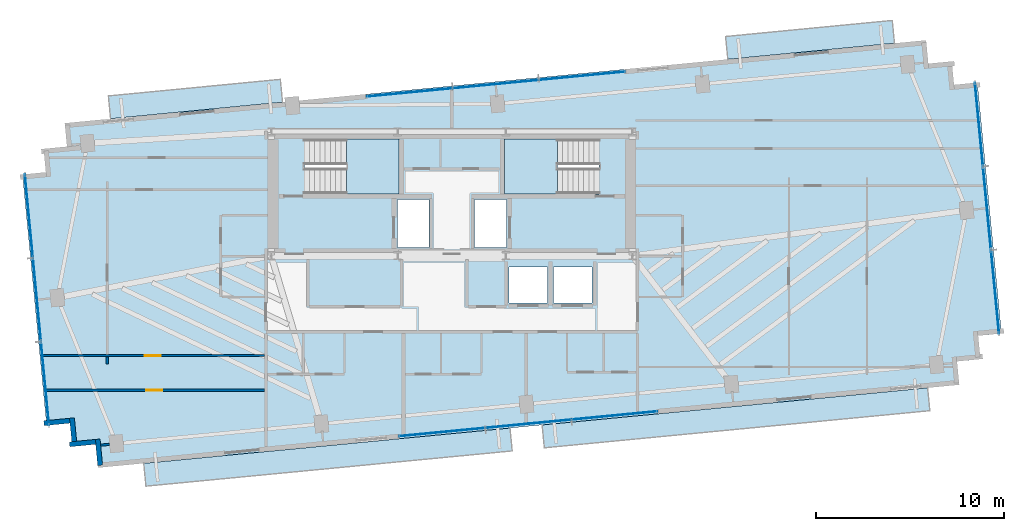
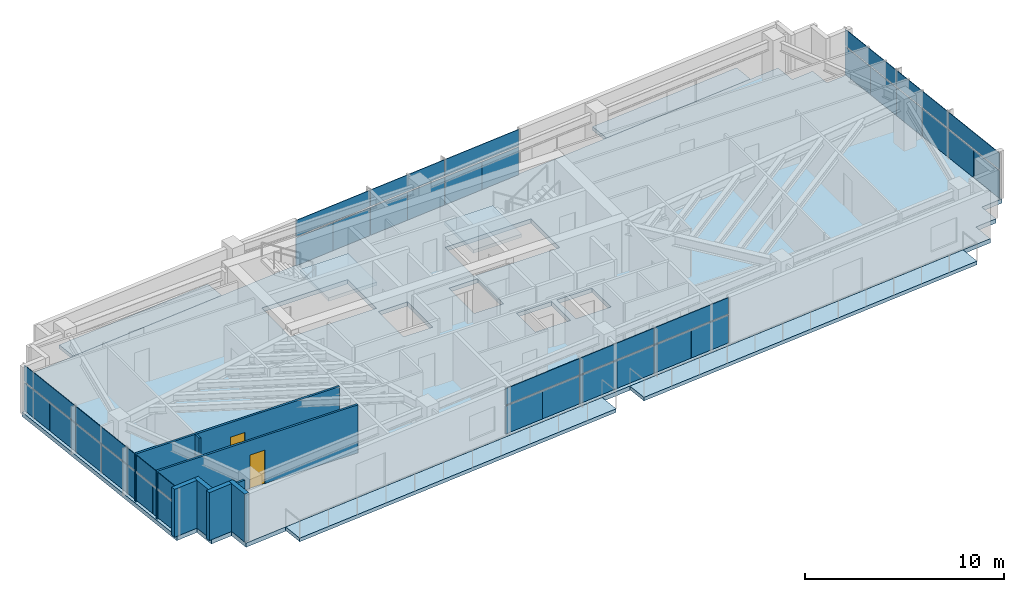
# One storey, part 12 of 18: 36 plates, 8 walls, 7 slabs, 2 doors, 2 openings, 6 elements without a shape of their own.
"""IFC4 building model written with IfcOpenShell, lengths in metres."""

from ifc_helpers import new_model, si_unit, direction, frame, frame_2d, origin, origin_2d, place, context, subcontext, project, spatial, polyline, rectangle, outline, extrude, source, transform, mapped, material, layer, layer_set, type_object, type_shapes, element, fill, aggregate, save


model = new_model("IFC4")

# Units and contexts
model_context = context("Model", 3, precision=1e-05, world=origin(), true_north=direction((0.0, 1.0)))
body_context = subcontext(model_context, "Body", "Model", "MODEL_VIEW")
ifc_project = project(units=[si_unit("LENGTHUNIT", "METRE"), si_unit("AREAUNIT", "SQUARE_METRE"), si_unit("VOLUMEUNIT", "CUBIC_METRE"), si_unit("PLANEANGLEUNIT", "RADIAN"), si_unit("MASSUNIT", "GRAM", prefix="KILO")], contexts=[model_context])

# Site, building, storey
site_placement = place(None, origin())
site = spatial("IfcSite", under=ifc_project, at=site_placement, CompositionType="ELEMENT")
building_placement = place(site_placement, origin())
building = spatial("IfcBuilding", under=site, at=building_placement, Name="Astriad Promenade Condominiums", CompositionType="ELEMENT")
storey_placement = place(building_placement, frame((0.0, 0.0, 195.39990234375)))
storey = spatial("IfcBuildingStorey", under=building, at=storey_placement, Name="L56", CompositionType="ELEMENT", Elevation=195.39990234375)

# Slab
ifc_material_1 = material(Name="Concrete C50/60", Category="concrete")
ifc_layer_1 = layer(ifc_material_1, 0.260009765625)
ifc_layer_set_1 = layer_set([ifc_layer_1], Name="Concrete C50/60")
slab_type_1 = type_object("IfcSlabType", Name="CONCRETE TOWER FLOOR SLAB 260", PredefinedType="FLOOR", material=ifc_layer_set_1)
slab_1_placement = place(storey_placement, frame((0.0, 0.0, -0.260009765625)))
element("IfcSlab", 1, at=slab_1_placement, inside=storey, type_object=slab_type_1, Name="Structural Floor Slab (L56)", PredefinedType="FLOOR", context=body_context, shape_type="SweptSolid", body=[
    extrude(outline(polyline([(17.187744140625, 6.137939453125), (62.975830078125, 10.546875), (62.856201171875, 11.791015625), (64.100341796875, 11.910888671875), (63.98046875, 13.155029296875), (65.224853515625, 13.27490234375), (63.9404296875, 26.61328125), (62.6962890625, 26.493408203125), (62.576416015625, 27.73779296875), (61.33203125, 27.617919921875), (61.21240234375, 28.862060546875), (15.424072265625, 24.453125), (15.5439453125, 23.208984375), (14.2998046875, 23.089111328125), (14.41943359375, 21.844970703125), (13.17529296875, 21.72509765625), (14.459716796875, 8.38671875), (15.703857421875, 8.506591796875), (15.823486328125, 7.26220703125), (17.06787109375, 7.382080078125), (17.187744140625, 6.137939453125)]), holes=[polyline([(28.175048828125, 20.699951171875), (33.175048828125, 20.699951171875), (33.175048828125, 23.60009765625), (28.175048828125, 23.60009765625), (28.175048828125, 20.699951171875)]), polyline([(38.824951171875, 20.699951171875), (43.824951171875, 20.699951171875), (43.824951171875, 23.60009765625), (38.824951171875, 23.60009765625), (38.824951171875, 20.699951171875)]), polyline([(33.10009765625, 17.85009765625), (34.800048828125, 17.85009765625), (34.800048828125, 20.39990234375), (33.10009765625, 20.39990234375), (33.10009765625, 17.85009765625)]), polyline([(37.199951171875, 17.85009765625), (38.89990234375, 17.85009765625), (38.89990234375, 20.39990234375), (37.199951171875, 20.39990234375), (37.199951171875, 17.85009765625)]), polyline([(39.050048828125, 14.89990234375), (41.10009765625, 14.89990234375), (41.10009765625, 16.800048828125), (39.050048828125, 16.800048828125), (39.050048828125, 14.89990234375)]), polyline([(41.39990234375, 14.89990234375), (43.449951171875, 14.89990234375), (43.449951171875, 16.800048828125), (41.39990234375, 16.800048828125), (41.39990234375, 14.89990234375)])]), origin(), (0.0, 0.0, 1.0), 0.260009765625),
])

# Stair, slab
stair_type = type_object("IfcStairType", Name="STR-CORE-1350", PredefinedType="HALF_TURN_STAIR", material=ifc_material_1)
stair_1_placement = place(storey_placement, origin())
stair_1 = element("IfcStair", 2, at=stair_1_placement, inside=storey, type_object=stair_type, Name="L56 Enclosed Core Exit Stair ST-1", PredefinedType="HALF_TURN_STAIR")
ifc_layer_2 = layer(ifc_material_1, 0.219970703125)
ifc_layer_set_2 = layer_set([ifc_layer_2], Name="Concrete C50/60")
slab_type_2 = type_object("IfcSlabType", Name="SLB-LANDING-220", PredefinedType="LANDING", material=ifc_layer_set_2)
slab_2_placement = place(storey_placement, frame((0.0, 0.0, 1.400146484375)))
slab_2 = element("IfcSlab", 3, at=slab_2_placement, type_object=slab_type_2, Name="ST-1 landing 1", PredefinedType="LANDING", context=body_context, shape_type="SweptSolid", body=[
    extrude(outline(polyline([(30.389892578125, 20.699951171875), (33.199951171875, 20.699951171875), (33.199951171875, 23.60009765625), (30.389892578125, 23.60009765625), (30.389892578125, 20.699951171875)])), origin(), (0.0, 0.0, 1.0), 0.199951171875),
])
aggregate(stair_1, [slab_2])

stair_2_placement = place(storey_placement, origin())
stair_2 = element("IfcStair", 4, at=stair_2_placement, inside=storey, type_object=stair_type, Name="L56 Enclosed Core Exit Stair ST-2", PredefinedType="HALF_TURN_STAIR")
slab_3_placement = place(storey_placement, frame((0.0, 0.0, 1.400146484375)))
slab_3 = element("IfcSlab", 5, at=slab_3_placement, type_object=slab_type_2, Name="ST-2 landing 1", PredefinedType="LANDING", context=body_context, shape_type="SweptSolid", body=[
    extrude(outline(polyline([(41.610107421875, 23.60009765625), (38.800048828125, 23.60009765625), (38.800048828125, 20.699951171875), (41.610107421875, 20.699951171875), (41.610107421875, 23.60009765625)])), origin(), (0.0, 0.0, 1.0), 0.199951171875),
])
aggregate(stair_2, [slab_3])

# Slabs
ifc_material_2 = material(Name="Precast concrete C50/60", Category="concrete")
ifc_layer_3 = layer(ifc_material_2, 0.219970703125)
ifc_layer_set_3 = layer_set([ifc_layer_3], Name="Precast concrete C50/60")
slab_type_3 = type_object("IfcSlabType", Name="WHITE PRECAST CONCRETE WAVE BALCONY SLAB 220", PredefinedType="FLOOR", material=ifc_layer_set_3)
slab_4_placement = place(storey_placement, frame((0.0, 0.0, -0.219970703125)))
element("IfcSlab", 6, at=slab_4_placement, inside=storey, type_object=slab_type_3, Name="White Precast Wave Balcony Slab BAL-L56-SW", PredefinedType="FLOOR", context=body_context, shape_type="SweptSolid", body=[
    extrude(outline(polyline([(39.209228515625, 7.03271484375), (19.740234375, 5.158203125), (19.62353515625, 6.370361328125), (39.092529296875, 8.2451171875), (39.209228515625, 7.03271484375)])), origin(), (0.0, 0.0, 1.0), 0.219970703125),
])
slab_5_placement = place(storey_placement, frame((0.0, 0.0, -0.219970703125)))
element("IfcSlab", 7, at=slab_5_placement, inside=storey, type_object=slab_type_3, Name="White Precast Wave Balcony Slab BAL-L56-SE", PredefinedType="FLOOR", context=body_context, shape_type="SweptSolid", body=[
    extrude(outline(polyline([(61.41064453125, 9.17041015625), (40.91748046875, 7.197265625), (40.80078125, 8.40966796875), (61.2939453125, 10.3828125), (61.41064453125, 9.17041015625)])), origin(), (0.0, 0.0, 1.0), 0.219970703125),
])
slab_6_placement = place(storey_placement, frame((0.0, 0.0, -0.219970703125)))
element("IfcSlab", 8, at=slab_6_placement, inside=storey, type_object=slab_type_3, Name="White Precast Wave Balcony Slab BAL-L56-NW", PredefinedType="FLOOR", context=body_context, shape_type="SweptSolid", body=[
    extrude(outline(polyline([(17.742919921875, 25.902099609375), (26.883544921875, 26.7822265625), (27.00048828125, 25.56982421875), (17.859619140625, 24.689697265625), (17.742919921875, 25.902099609375)])), origin(), (0.0, 0.0, 1.0), 0.219970703125),
])
slab_7_placement = place(storey_placement, frame((0.0, 0.0, -0.219970703125)))
element("IfcSlab", 9, at=slab_7_placement, inside=storey, type_object=slab_type_3, Name="White Precast Wave Balcony Slab BAL-L56-NE", PredefinedType="FLOOR", context=body_context, shape_type="SweptSolid", body=[
    extrude(outline(polyline([(50.55419921875, 29.0615234375), (59.4130859375, 29.91455078125), (59.52978515625, 28.7021484375), (50.6708984375, 27.84912109375), (50.55419921875, 29.0615234375)])), origin(), (0.0, 0.0, 1.0), 0.219970703125),
])

# Curtain wall, plates
ifc_material_3 = material(Name="Anodised aluminium Black Dark Glass Unitised", Category="aluminium")
curtain_wall_type = type_object("IfcCurtainWallType", Name="CW-B34-DARK", PredefinedType="USERDEFINED", material=ifc_material_3)
curtain_wall_1_placement = place(storey_placement, origin())
curtain_wall_1 = element("IfcCurtainWall", 10, at=curtain_wall_1_placement, inside=storey, type_object=curtain_wall_type, Name="CW-L56-W", ObjectType="UNITISED_CURTAIN_WALL", PredefinedType="USERDEFINED")
ifc_material_4 = material(Name="Dark Tinted Low-E Laminated Glass", Category="glass")
ifc_layer_4 = layer(ifc_material_4, 0.035888671875)
ifc_layer_set_4 = layer_set([ifc_layer_4], Name="Dark Tinted Low-E Laminated Glass")
plate_type = type_object("IfcPlateType", Name="PNL-DARK-GLASS-36", PredefinedType="CURTAIN_PANEL", material=ifc_layer_set_4)
shared_shape_1 = source(origin(), body_context, "Body", "SweptSolid", [
    extrude(rectangle(XDim=2.22119140625, YDim=0.035888671875, at=origin_2d()), origin(), (0.0, 0.0, 1.0), 1.702880859375),
])
plate_1_placement = place(storey_placement, frame((14.48193359375, 9.5107421875, 0.080078125), z_axis=(0.0, 0.0, 1.0), x_axis=(-0.09584575252, 0.995396198367, 0.0)))
plate_1 = element("IfcPlate", 11, at=plate_1_placement, type_object=plate_type, Name="CW-L56-W-PNL-00-VL", PredefinedType="CURTAIN_PANEL", context=body_context, shape_type="MappedRepresentation", body=[
    mapped(shared_shape_1, transform((0.0, 0.0, 0.0), scale=1.0)),
])
plate_2_placement = place(storey_placement, frame((14.267822265625, 11.73388671875, 0.080078125), z_axis=(0.0, 0.0, 1.0), x_axis=(-0.09584575252, 0.995396198367, 0.0)))
plate_2 = element("IfcPlate", 12, at=plate_2_placement, type_object=plate_type, Name="CW-L56-W-PNL-00-VR", PredefinedType="CURTAIN_PANEL", context=body_context, shape_type="MappedRepresentation", body=[
    mapped(shared_shape_1, transform((0.0, 0.0, 0.0), scale=1.0)),
])
plate_3_placement = place(storey_placement, frame((14.053955078125, 13.956787109375, 0.080078125), z_axis=(0.0, 0.0, 1.0), x_axis=(-0.09584575252, 0.995396198367, 0.0)))
plate_3 = element("IfcPlate", 13, at=plate_3_placement, type_object=plate_type, Name="CW-L56-W-PNL-01-VL", PredefinedType="CURTAIN_PANEL", context=body_context, shape_type="MappedRepresentation", body=[
    mapped(shared_shape_1, transform((0.0, 0.0, 0.0), scale=1.0)),
])
plate_4_placement = place(storey_placement, frame((13.839599609375, 16.179931640625, 0.080078125), z_axis=(0.0, 0.0, 1.0), x_axis=(-0.09584575252, 0.995396198367, 0.0)))
plate_4 = element("IfcPlate", 14, at=plate_4_placement, type_object=plate_type, Name="CW-L56-W-PNL-01-VR", PredefinedType="CURTAIN_PANEL", context=body_context, shape_type="MappedRepresentation", body=[
    mapped(shared_shape_1, transform((0.0, 0.0, 0.0), scale=1.0)),
])
plate_5_placement = place(storey_placement, frame((13.625732421875, 18.403076171875, 0.080078125), z_axis=(0.0, 0.0, 1.0), x_axis=(-0.09584575252, 0.995396198367, 0.0)))
plate_5 = element("IfcPlate", 15, at=plate_5_placement, type_object=plate_type, Name="CW-L56-W-PNL-02-VL", PredefinedType="CURTAIN_PANEL", context=body_context, shape_type="MappedRepresentation", body=[
    mapped(shared_shape_1, transform((0.0, 0.0, 0.0), scale=1.0)),
])
plate_6_placement = place(storey_placement, frame((13.41162109375, 20.626220703125, 0.080078125), z_axis=(0.0, 0.0, 1.0), x_axis=(-0.09584575252, 0.995396198367, 0.0)))
plate_6 = element("IfcPlate", 16, at=plate_6_placement, type_object=plate_type, Name="CW-L56-W-PNL-02-VR", PredefinedType="CURTAIN_PANEL", context=body_context, shape_type="MappedRepresentation", body=[
    mapped(shared_shape_1, transform((0.0, 0.0, 0.0), scale=1.0)),
])

curtain_wall_2_placement = place(storey_placement, origin())
curtain_wall_2 = element("IfcCurtainWall", 17, at=curtain_wall_2_placement, inside=storey, type_object=curtain_wall_type, Name="CW-L56-E", ObjectType="UNITISED_CURTAIN_WALL", PredefinedType="USERDEFINED")
plate_7_placement = place(storey_placement, frame((63.91796875, 25.4892578125, 0.080078125), z_axis=(0.0, 0.0, 1.0), x_axis=(0.09584575252, -0.995396198367, 0.0)))
plate_7 = element("IfcPlate", 18, at=plate_7_placement, type_object=plate_type, Name="CW-L56-E-PNL-00-VL", PredefinedType="CURTAIN_PANEL", context=body_context, shape_type="MappedRepresentation", body=[
    mapped(shared_shape_1, transform((0.0, 0.0, 0.0), scale=1.0)),
])
plate_8_placement = place(storey_placement, frame((64.132080078125, 23.26611328125, 0.080078125), z_axis=(0.0, 0.0, 1.0), x_axis=(0.09584575252, -0.995396198367, 0.0)))
plate_8 = element("IfcPlate", 19, at=plate_8_placement, type_object=plate_type, Name="CW-L56-E-PNL-00-VR", PredefinedType="CURTAIN_PANEL", context=body_context, shape_type="MappedRepresentation", body=[
    mapped(shared_shape_1, transform((0.0, 0.0, 0.0), scale=1.0)),
])
plate_9_placement = place(storey_placement, frame((64.34619140625, 21.043212890625, 0.080078125), z_axis=(0.0, 0.0, 1.0), x_axis=(0.09584575252, -0.995396198367, 0.0)))
plate_9 = element("IfcPlate", 20, at=plate_9_placement, type_object=plate_type, Name="CW-L56-E-PNL-01-VL", PredefinedType="CURTAIN_PANEL", context=body_context, shape_type="MappedRepresentation", body=[
    mapped(shared_shape_1, transform((0.0, 0.0, 0.0), scale=1.0)),
])
plate_10_placement = place(storey_placement, frame((64.560302734375, 18.820068359375, 0.080078125), z_axis=(0.0, 0.0, 1.0), x_axis=(0.09584575252, -0.995396198367, 0.0)))
plate_10 = element("IfcPlate", 21, at=plate_10_placement, type_object=plate_type, Name="CW-L56-E-PNL-01-VR", PredefinedType="CURTAIN_PANEL", context=body_context, shape_type="MappedRepresentation", body=[
    mapped(shared_shape_1, transform((0.0, 0.0, 0.0), scale=1.0)),
])
plate_11_placement = place(storey_placement, frame((64.7744140625, 16.596923828125, 0.080078125), z_axis=(0.0, 0.0, 1.0), x_axis=(0.09584575252, -0.995396198367, 0.0)))
plate_11 = element("IfcPlate", 22, at=plate_11_placement, type_object=plate_type, Name="CW-L56-E-PNL-02-VL", PredefinedType="CURTAIN_PANEL", context=body_context, shape_type="MappedRepresentation", body=[
    mapped(shared_shape_1, transform((0.0, 0.0, 0.0), scale=1.0)),
])
plate_12_placement = place(storey_placement, frame((64.98828125, 14.373779296875, 0.080078125), z_axis=(0.0, 0.0, 1.0), x_axis=(0.09584575252, -0.995396198367, 0.0)))
plate_12 = element("IfcPlate", 23, at=plate_12_placement, type_object=plate_type, Name="CW-L56-E-PNL-02-VR", PredefinedType="CURTAIN_PANEL", context=body_context, shape_type="MappedRepresentation", body=[
    mapped(shared_shape_1, transform((0.0, 0.0, 0.0), scale=1.0)),
])

# Plate
shared_shape_2 = source(origin(), body_context, "Body", "SweptSolid", [
    extrude(rectangle(XDim=4.45458984375, YDim=0.035888671875, at=origin_2d()), origin(), (0.0, 0.0, 1.0), 0.997314453125),
])
plate_13_placement = place(storey_placement, frame((14.375, 10.622314453125, 1.86279296875), z_axis=(0.0, 0.0, 1.0), x_axis=(-0.09584575252, 0.995396198367, 0.0)))
plate_13 = element("IfcPlate", 24, at=plate_13_placement, type_object=plate_type, Name="CW-L56-W-PNL-00-S", PredefinedType="CURTAIN_PANEL", context=body_context, shape_type="MappedRepresentation", body=[
    mapped(shared_shape_2, transform((0.0, 0.0, 0.0), scale=1.0)),
])

plate_14_placement = place(storey_placement, frame((13.94677734375, 15.068359375, 1.86279296875), z_axis=(0.0, 0.0, 1.0), x_axis=(-0.09584575252, 0.995396198367, 0.0)))
plate_14 = element("IfcPlate", 25, at=plate_14_placement, type_object=plate_type, Name="CW-L56-W-PNL-01-S", PredefinedType="CURTAIN_PANEL", context=body_context, shape_type="MappedRepresentation", body=[
    mapped(shared_shape_2, transform((0.0, 0.0, 0.0), scale=1.0)),
])

plate_15_placement = place(storey_placement, frame((13.518798828125, 19.514404296875, 1.86279296875), z_axis=(0.0, 0.0, 1.0), x_axis=(-0.09584575252, 0.995396198367, 0.0)))
plate_15 = element("IfcPlate", 26, at=plate_15_placement, type_object=plate_type, Name="CW-L56-W-PNL-02-S", PredefinedType="CURTAIN_PANEL", context=body_context, shape_type="MappedRepresentation", body=[
    mapped(shared_shape_2, transform((0.0, 0.0, 0.0), scale=1.0)),
])

aggregate(curtain_wall_1, [plate_1, plate_2, plate_13, plate_3, plate_4, plate_14, plate_5, plate_6, plate_15])

plate_16_placement = place(storey_placement, frame((64.02490234375, 24.377685546875, 1.86279296875), z_axis=(0.0, 0.0, 1.0), x_axis=(0.09584575252, -0.995396198367, 0.0)))
plate_16 = element("IfcPlate", 27, at=plate_16_placement, type_object=plate_type, Name="CW-L56-E-PNL-00-S", PredefinedType="CURTAIN_PANEL", context=body_context, shape_type="MappedRepresentation", body=[
    mapped(shared_shape_2, transform((0.0, 0.0, 0.0), scale=1.0)),
])

plate_17_placement = place(storey_placement, frame((64.453125, 19.931640625, 1.86279296875), z_axis=(0.0, 0.0, 1.0), x_axis=(0.09584575252, -0.995396198367, 0.0)))
plate_17 = element("IfcPlate", 28, at=plate_17_placement, type_object=plate_type, Name="CW-L56-E-PNL-01-S", PredefinedType="CURTAIN_PANEL", context=body_context, shape_type="MappedRepresentation", body=[
    mapped(shared_shape_2, transform((0.0, 0.0, 0.0), scale=1.0)),
])

plate_18_placement = place(storey_placement, frame((64.88134765625, 15.485595703125, 1.86279296875), z_axis=(0.0, 0.0, 1.0), x_axis=(0.09584575252, -0.995396198367, 0.0)))
plate_18 = element("IfcPlate", 29, at=plate_18_placement, type_object=plate_type, Name="CW-L56-E-PNL-02-S", PredefinedType="CURTAIN_PANEL", context=body_context, shape_type="MappedRepresentation", body=[
    mapped(shared_shape_2, transform((0.0, 0.0, 0.0), scale=1.0)),
])

aggregate(curtain_wall_2, [plate_7, plate_8, plate_16, plate_9, plate_10, plate_17, plate_11, plate_12, plate_18])

# Curtain wall, plates
curtain_wall_3_placement = place(storey_placement, origin())
curtain_wall_3 = element("IfcCurtainWall", 30, at=curtain_wall_3_placement, inside=storey, type_object=curtain_wall_type, Name="CW-L56-N", ObjectType="UNITISED_CURTAIN_WALL", PredefinedType="USERDEFINED")
shared_shape_3 = source(origin(), body_context, "Body", "SweptSolid", [
    extrude(rectangle(XDim=2.2880859375, YDim=0.035888671875, at=origin_2d()), origin(), (0.0, 0.0, 1.0), 1.702880859375),
])
plate_19_placement = place(storey_placement, frame((32.607177734375, 25.97705078125, 0.080078125), z_axis=(0.0, 0.0, 1.0), x_axis=(0.995396198367, 0.09584575252, 0.0)))
plate_19 = element("IfcPlate", 31, at=plate_19_placement, type_object=plate_type, Name="CW-L56-N-PNL-00-VL", PredefinedType="CURTAIN_PANEL", context=body_context, shape_type="MappedRepresentation", body=[
    mapped(shared_shape_3, transform((0.0, 0.0, 0.0), scale=1.0)),
])
plate_20_placement = place(storey_placement, frame((34.896484375, 26.197509765625, 0.080078125), z_axis=(0.0, 0.0, 1.0), x_axis=(0.995396198367, 0.09584575252, 0.0)))
plate_20 = element("IfcPlate", 32, at=plate_20_placement, type_object=plate_type, Name="CW-L56-N-PNL-00-VR", PredefinedType="CURTAIN_PANEL", context=body_context, shape_type="MappedRepresentation", body=[
    mapped(shared_shape_3, transform((0.0, 0.0, 0.0), scale=1.0)),
])
plate_21_placement = place(storey_placement, frame((37.18603515625, 26.41796875, 0.080078125), z_axis=(0.0, 0.0, 1.0), x_axis=(0.995396198367, 0.09584575252, 0.0)))
plate_21 = element("IfcPlate", 33, at=plate_21_placement, type_object=plate_type, Name="CW-L56-N-PNL-01-VL", PredefinedType="CURTAIN_PANEL", context=body_context, shape_type="MappedRepresentation", body=[
    mapped(shared_shape_3, transform((0.0, 0.0, 0.0), scale=1.0)),
])
plate_22_placement = place(storey_placement, frame((39.475341796875, 26.638427734375, 0.080078125), z_axis=(0.0, 0.0, 1.0), x_axis=(0.995396198367, 0.09584575252, 0.0)))
plate_22 = element("IfcPlate", 34, at=plate_22_placement, type_object=plate_type, Name="CW-L56-N-PNL-01-VR", PredefinedType="CURTAIN_PANEL", context=body_context, shape_type="MappedRepresentation", body=[
    mapped(shared_shape_3, transform((0.0, 0.0, 0.0), scale=1.0)),
])
plate_23_placement = place(storey_placement, frame((41.764892578125, 26.85888671875, 0.080078125), z_axis=(0.0, 0.0, 1.0), x_axis=(0.995396198367, 0.09584575252, 0.0)))
plate_23 = element("IfcPlate", 35, at=plate_23_placement, type_object=plate_type, Name="CW-L56-N-PNL-02-VL", PredefinedType="CURTAIN_PANEL", context=body_context, shape_type="MappedRepresentation", body=[
    mapped(shared_shape_3, transform((0.0, 0.0, 0.0), scale=1.0)),
])
plate_24_placement = place(storey_placement, frame((44.05419921875, 27.079345703125, 0.080078125), z_axis=(0.0, 0.0, 1.0), x_axis=(0.995396198367, 0.09584575252, 0.0)))
plate_24 = element("IfcPlate", 36, at=plate_24_placement, type_object=plate_type, Name="CW-L56-N-PNL-02-VR", PredefinedType="CURTAIN_PANEL", context=body_context, shape_type="MappedRepresentation", body=[
    mapped(shared_shape_3, transform((0.0, 0.0, 0.0), scale=1.0)),
])

curtain_wall_4_placement = place(storey_placement, origin())
curtain_wall_4 = element("IfcCurtainWall", 37, at=curtain_wall_4_placement, inside=storey, type_object=curtain_wall_type, Name="CW-L56-S", ObjectType="UNITISED_CURTAIN_WALL", PredefinedType="USERDEFINED")
plate_25_placement = place(storey_placement, frame((45.792724609375, 9.02294921875, 0.080078125), z_axis=(0.0, 0.0, 1.0), x_axis=(-0.995396198367, -0.09584575252, 0.0)))
plate_25 = element("IfcPlate", 38, at=plate_25_placement, type_object=plate_type, Name="CW-L56-S-PNL-00-VL", PredefinedType="CURTAIN_PANEL", context=body_context, shape_type="MappedRepresentation", body=[
    mapped(shared_shape_3, transform((0.0, 0.0, 0.0), scale=1.0)),
])
plate_26_placement = place(storey_placement, frame((43.50341796875, 8.802490234375, 0.080078125), z_axis=(0.0, 0.0, 1.0), x_axis=(-0.995396198367, -0.09584575252, 0.0)))
plate_26 = element("IfcPlate", 39, at=plate_26_placement, type_object=plate_type, Name="CW-L56-S-PNL-00-VR", PredefinedType="CURTAIN_PANEL", context=body_context, shape_type="MappedRepresentation", body=[
    mapped(shared_shape_3, transform((0.0, 0.0, 0.0), scale=1.0)),
])
plate_27_placement = place(storey_placement, frame((41.214111328125, 8.58203125, 0.080078125), z_axis=(0.0, 0.0, 1.0), x_axis=(-0.995396198367, -0.09584575252, 0.0)))
plate_27 = element("IfcPlate", 40, at=plate_27_placement, type_object=plate_type, Name="CW-L56-S-PNL-01-VL", PredefinedType="CURTAIN_PANEL", context=body_context, shape_type="MappedRepresentation", body=[
    mapped(shared_shape_3, transform((0.0, 0.0, 0.0), scale=1.0)),
])
plate_28_placement = place(storey_placement, frame((38.924560546875, 8.361572265625, 0.080078125), z_axis=(0.0, 0.0, 1.0), x_axis=(-0.995396198367, -0.09584575252, 0.0)))
plate_28 = element("IfcPlate", 41, at=plate_28_placement, type_object=plate_type, Name="CW-L56-S-PNL-01-VR", PredefinedType="CURTAIN_PANEL", context=body_context, shape_type="MappedRepresentation", body=[
    mapped(shared_shape_3, transform((0.0, 0.0, 0.0), scale=1.0)),
])
plate_29_placement = place(storey_placement, frame((36.63525390625, 8.14111328125, 0.080078125), z_axis=(0.0, 0.0, 1.0), x_axis=(-0.995396198367, -0.09584575252, 0.0)))
plate_29 = element("IfcPlate", 42, at=plate_29_placement, type_object=plate_type, Name="CW-L56-S-PNL-02-VL", PredefinedType="CURTAIN_PANEL", context=body_context, shape_type="MappedRepresentation", body=[
    mapped(shared_shape_3, transform((0.0, 0.0, 0.0), scale=1.0)),
])
plate_30_placement = place(storey_placement, frame((34.345703125, 7.920654296875, 0.080078125), z_axis=(0.0, 0.0, 1.0), x_axis=(-0.995396198367, -0.09584575252, 0.0)))
plate_30 = element("IfcPlate", 43, at=plate_30_placement, type_object=plate_type, Name="CW-L56-S-PNL-02-VR", PredefinedType="CURTAIN_PANEL", context=body_context, shape_type="MappedRepresentation", body=[
    mapped(shared_shape_3, transform((0.0, 0.0, 0.0), scale=1.0)),
])

# Plate
shared_shape_4 = source(origin(), body_context, "Body", "SweptSolid", [
    extrude(rectangle(XDim=4.587890625, YDim=0.035888671875, at=origin_2d()), origin(), (0.0, 0.0, 1.0), 0.997314453125),
])
type_shapes(plate_type, [shared_shape_1, shared_shape_2, shared_shape_3, shared_shape_4])
plate_31_placement = place(storey_placement, frame((33.751953125, 26.08740234375, 1.86279296875), z_axis=(0.0, 0.0, 1.0), x_axis=(0.995396198367, 0.09584575252, 0.0)))
plate_31 = element("IfcPlate", 44, at=plate_31_placement, type_object=plate_type, Name="CW-L56-N-PNL-00-S", PredefinedType="CURTAIN_PANEL", context=body_context, shape_type="MappedRepresentation", body=[
    mapped(shared_shape_4, transform((0.0, 0.0, 0.0), scale=1.0)),
])

plate_32_placement = place(storey_placement, frame((38.330810546875, 26.5283203125, 1.86279296875), z_axis=(0.0, 0.0, 1.0), x_axis=(0.995396198367, 0.09584575252, 0.0)))
plate_32 = element("IfcPlate", 45, at=plate_32_placement, type_object=plate_type, Name="CW-L56-N-PNL-01-S", PredefinedType="CURTAIN_PANEL", context=body_context, shape_type="MappedRepresentation", body=[
    mapped(shared_shape_4, transform((0.0, 0.0, 0.0), scale=1.0)),
])

plate_33_placement = place(storey_placement, frame((42.909423828125, 26.968994140625, 1.86279296875), z_axis=(0.0, 0.0, 1.0), x_axis=(0.995396198367, 0.09584575252, 0.0)))
plate_33 = element("IfcPlate", 46, at=plate_33_placement, type_object=plate_type, Name="CW-L56-N-PNL-02-S", PredefinedType="CURTAIN_PANEL", context=body_context, shape_type="MappedRepresentation", body=[
    mapped(shared_shape_4, transform((0.0, 0.0, 0.0), scale=1.0)),
])

aggregate(curtain_wall_3, [plate_19, plate_20, plate_31, plate_21, plate_22, plate_32, plate_23, plate_24, plate_33])

plate_34_placement = place(storey_placement, frame((44.648193359375, 8.91259765625, 1.86279296875), z_axis=(0.0, 0.0, 1.0), x_axis=(-0.995396198367, -0.09584575252, 0.0)))
plate_34 = element("IfcPlate", 47, at=plate_34_placement, type_object=plate_type, Name="CW-L56-S-PNL-00-S", PredefinedType="CURTAIN_PANEL", context=body_context, shape_type="MappedRepresentation", body=[
    mapped(shared_shape_4, transform((0.0, 0.0, 0.0), scale=1.0)),
])

plate_35_placement = place(storey_placement, frame((40.0693359375, 8.4716796875, 1.86279296875), z_axis=(0.0, 0.0, 1.0), x_axis=(-0.995396198367, -0.09584575252, 0.0)))
plate_35 = element("IfcPlate", 48, at=plate_35_placement, type_object=plate_type, Name="CW-L56-S-PNL-01-S", PredefinedType="CURTAIN_PANEL", context=body_context, shape_type="MappedRepresentation", body=[
    mapped(shared_shape_4, transform((0.0, 0.0, 0.0), scale=1.0)),
])

plate_36_placement = place(storey_placement, frame((35.490478515625, 8.031005859375, 1.86279296875), z_axis=(0.0, 0.0, 1.0), x_axis=(-0.995396198367, -0.09584575252, 0.0)))
plate_36 = element("IfcPlate", 49, at=plate_36_placement, type_object=plate_type, Name="CW-L56-S-PNL-02-S", PredefinedType="CURTAIN_PANEL", context=body_context, shape_type="MappedRepresentation", body=[
    mapped(shared_shape_4, transform((0.0, 0.0, 0.0), scale=1.0)),
])

aggregate(curtain_wall_4, [plate_25, plate_26, plate_34, plate_27, plate_28, plate_35, plate_29, plate_30, plate_36])

# Walls
ifc_layer_5 = layer(ifc_material_2, 0.260009765625)
ifc_layer_set_5 = layer_set([ifc_layer_5], Name="Precast concrete C50/60")
wall_type_1 = type_object("IfcWallType", Name="WALL-EXT-TWR-260", PredefinedType="STANDARD", material=ifc_layer_set_5)
wall_1_placement = place(storey_placement, frame((17.0703125, 7.512939453125, 0.0), z_axis=(0.0, 0.0, 1.0), x_axis=(-0.995391056452, -0.09589913835, 0.0)))
element("IfcWall", 50, at=wall_1_placement, inside=storey, type_object=wall_type_1, Name="W-SER-L56-00", PredefinedType="STANDARD", context=body_context, shape_type="SweptSolid", body=[
    extrude(rectangle(XDim=1.39501953125, YDim=0.260009765625, at=frame_2d((0.697509765625, 0.0))), origin(), (0.0, 0.0, 1.0), 2.940185546875),
])
wall_2_placement = place(storey_placement, frame((15.94189453125, 7.389404296875, 0.0), z_axis=(0.0, 0.0, 1.0), x_axis=(-0.095742423056, 0.99540614245, 0.0)))
element("IfcWall", 51, at=wall_2_placement, inside=storey, type_object=wall_type_1, Name="W-SER-L56-01", PredefinedType="STANDARD", context=body_context, shape_type="SweptSolid", body=[
    extrude(rectangle(XDim=1.394775390625, YDim=0.260009765625, at=frame_2d((0.697265625, 0.0))), origin(), (0.0, 0.0, 1.0), 2.940185546875),
])
wall_3_placement = place(storey_placement, frame((15.706298828125, 8.637451171875, 0.0), z_axis=(0.0, 0.0, 1.0), x_axis=(-0.995391056452, -0.09589913835, 0.0)))
element("IfcWall", 52, at=wall_3_placement, inside=storey, type_object=wall_type_1, Name="W-SER-L56-02", PredefinedType="STANDARD", context=body_context, shape_type="SweptSolid", body=[
    extrude(rectangle(XDim=1.39501953125, YDim=0.260009765625, at=frame_2d((0.697509765625, 0.0))), origin(), (0.0, 0.0, 1.0), 2.940185546875),
])
wall_4_placement = place(storey_placement, frame((17.30615234375, 6.264892578125, 0.0), z_axis=(0.0, 0.0, 1.0), x_axis=(-0.095915846097, 0.995389446633, 0.0)))
element("IfcWall", 53, at=wall_4_placement, inside=storey, type_object=wall_type_1, Name="W-SER-L56-19", PredefinedType="STANDARD", context=body_context, shape_type="SweptSolid", body=[
    extrude(rectangle(XDim=1.394775390625, YDim=0.260009765625, at=frame_2d((0.697265625, 0.0))), origin(), (0.0, 0.0, 1.0), 2.940185546875),
])

# Wall, opening, door
ifc_material_5 = material(Name="Acoustic Metal-Stud Gypsum Partition")
ifc_layer_6 = layer(ifc_material_5, 0.1201171875)
ifc_layer_set_6 = layer_set([ifc_layer_6], Name="Acoustic Metal-Stud Gypsum Partition")
wall_type_2 = type_object("IfcWallType", Name="WALL-PART-120", PredefinedType="PARTITIONING", material=ifc_layer_set_6)
wall_5_placement = place(storey_placement, frame((14.360595703125, 10.25, 0.0), z_axis=(0.0, 0.0, 1.0), x_axis=(1.0, 0.0, 0.0)))
wall_5 = element("IfcWall", 54, at=wall_5_placement, inside=storey, type_object=wall_type_2, Name="PT-L56-W1-WDS1", PredefinedType="PARTITIONING", context=body_context, shape_type="SweptSolid", body=[
    extrude(rectangle(XDim=11.677490234375, YDim=0.1201171875, at=frame_2d((5.8388671875, 0.0))), origin(), (0.0, 0.0, 1.0), 2.940185546875),
])
opening_1_placement = place(wall_5_placement, frame((5.407470703125, 0.0, 0.0)))
opening_1 = element("IfcOpeningElement", 55, at=opening_1_placement, cuts=wall_5, Name="Opening D-INT-085", PredefinedType="OPENING", context=body_context, shape_type="SweptSolid", body=[
    extrude(rectangle(XDim=0.85009765625, YDim=2.050048828125, at=frame_2d((0.425048828125, 1.02490234375))), frame((0.0, 0.070068359375, 0.0), z_axis=(0.0, -1.0, 0.0), x_axis=(1.0, 0.0, 0.0)), (0.0, 0.0, 1.0), 0.14013671875),
])
ifc_material_6 = material(Name="Painted Solid-Core Timber Room Door", Category="wood")
door_type = type_object("IfcDoorType", Name="D-INT-085", OperationType="NOTDEFINED", PredefinedType="DOOR", material=ifc_material_6)
shared_shape_5 = source(origin(), body_context, "Body", "SweptSolid", [
    extrude(rectangle(XDim=0.85009765625, YDim=2.050048828125, at=frame_2d((0.425048828125, 1.02490234375))), frame((0.0, 0.02490234375, 0.0), z_axis=(0.0, -1.0, 0.0), x_axis=(1.0, 0.0, 0.0)), (0.0, 0.0, 1.0), 0.050048828125),
])
type_shapes(door_type, [shared_shape_5])
door_1_placement = place(opening_1_placement, origin())
door_1 = element("IfcDoor", 56, at=door_1_placement, inside=storey, type_object=door_type, Name="D-WDS1-L56-W1", OperationType="SINGLE_SWING_LEFT", OverallHeight=2.050048828125, OverallWidth=0.85009765625, PredefinedType="DOOR", context=body_context, shape_type="MappedRepresentation", body=[
    mapped(shared_shape_5, transform((0.0, 0.0, 0.0), scale=1.0)),
])
fill(opening_1, door_1)

wall_6_placement = place(storey_placement, frame((14.1826171875, 12.097900390625, 0.0), z_axis=(0.0, 0.0, 1.0), x_axis=(1.0, 0.0, 0.0)))
wall_6 = element("IfcWall", 57, at=wall_6_placement, inside=storey, type_object=wall_type_2, Name="PT-L56-W1-WDS3", PredefinedType="PARTITIONING", context=body_context, shape_type="SweptSolid", body=[
    extrude(rectangle(XDim=11.85546875, YDim=0.1201171875, at=frame_2d((5.927734375, 0.0))), origin(), (0.0, 0.0, 1.0), 2.940185546875),
])
opening_2_placement = place(wall_6_placement, frame((5.496337890625, 0.0, 0.0)))
opening_2 = element("IfcOpeningElement", 58, at=opening_2_placement, cuts=wall_6, Name="Opening D-INT-085", PredefinedType="OPENING", context=body_context, shape_type="SweptSolid", body=[
    extrude(rectangle(XDim=0.85009765625, YDim=2.050048828125, at=frame_2d((0.425048828125, 1.02490234375))), frame((0.0, 0.070068359375, 0.0), z_axis=(0.0, -1.0, 0.0), x_axis=(1.0, 0.0, 0.0)), (0.0, 0.0, 1.0), 0.14013671875),
])
door_2_placement = place(opening_2_placement, origin())
door_2 = element("IfcDoor", 59, at=door_2_placement, inside=storey, type_object=door_type, Name="D-WDS3-L56-W1", OperationType="SINGLE_SWING_LEFT", OverallHeight=2.050048828125, OverallWidth=0.85009765625, PredefinedType="DOOR", context=body_context, shape_type="MappedRepresentation", body=[
    mapped(shared_shape_5, transform((0.0, 0.0, 0.0), scale=1.0)),
])
fill(opening_2, door_2)

# Walls
wall_7_placement = place(storey_placement, frame((17.68798828125, 11.657958984375, 0.0), z_axis=(0.0, 0.0, 1.0), x_axis=(0.0, 1.0, 0.0)))
element("IfcWall", 60, at=wall_7_placement, inside=storey, type_object=wall_type_2, Name="PT-L56-W1-WDV5", PredefinedType="PARTITIONING", context=body_context, shape_type="SweptSolid", body=[
    extrude(rectangle(XDim=0.3779296875, YDim=0.1201171875, at=frame_2d((0.18896484375, 0.0))), origin(), (0.0, 0.0, 1.0), 2.940185546875),
])
wall_8_placement = place(storey_placement, frame((17.791259765625, 7.381591796875, 0.0), z_axis=(0.0, 0.0, 1.0), x_axis=(-0.995384576284, -0.09596637586, 0.0)))
element("IfcWall", 61, at=wall_8_placement, inside=storey, type_object=wall_type_2, Name="PT-PIL-L56-PC01-8", PredefinedType="PARTITIONING", context=body_context, shape_type="SweptSolid", body=[
    extrude(rectangle(XDim=0.4580078125, YDim=0.1201171875, at=frame_2d((0.22900390625, 0.0))), origin(), (0.0, 0.0, 1.0), 2.940185546875),
])

save(model, "model.ifc")
